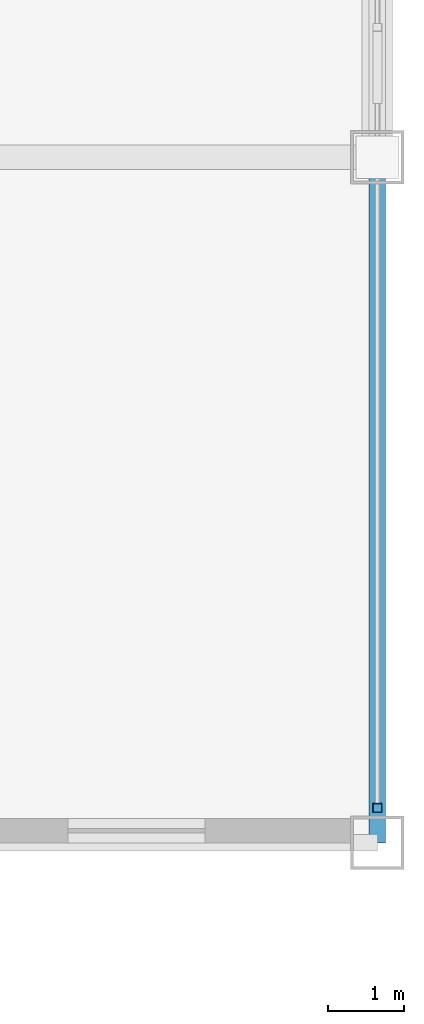
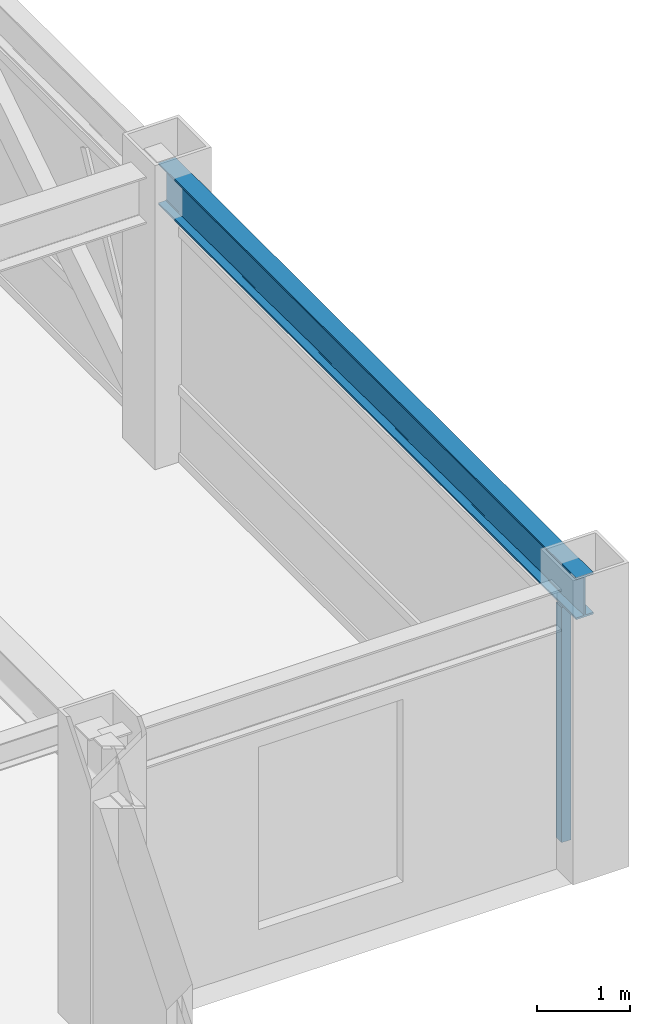
# One storey, part 10 of 29: 1 beam, 1 member, 1 element without a shape of its own.
"""IFC4 building model written with IfcOpenShell, lengths in metres."""

from ifc_helpers import new_model, si_unit, direction, frame, origin, origin_2d, place, context, subcontext, project, spatial, hollow_rectangle, i_section, extrude, source, transform, mapped, material, material_profile, profile_set, type_object, element, aggregate, save


model = new_model("IFC4")

# Units and contexts
model_context = context("Model", 3, precision=1e-05, world=origin(), true_north=direction((0.0, 1.0)))
body_context = subcontext(model_context, "Body", "Model", "MODEL_VIEW")
ifc_project = project(units=[si_unit("LENGTHUNIT", "METRE"), si_unit("AREAUNIT", "SQUARE_METRE"), si_unit("VOLUMEUNIT", "CUBIC_METRE"), si_unit("PLANEANGLEUNIT", "RADIAN"), si_unit("MASSUNIT", "GRAM", prefix="KILO")], contexts=[model_context])

# Site, building, storey
site_placement = place(None, origin())
site = spatial("IfcSite", under=ifc_project, at=site_placement, CompositionType="ELEMENT")
building_placement = place(site_placement, origin())
building = spatial("IfcBuilding", under=site, at=building_placement, Name="Khorayat Bourse Tower", CompositionType="ELEMENT")
storey_placement = place(building_placement, frame((0.0, 0.0, 362.300048828125)))
storey = spatial("IfcBuildingStorey", under=building, at=storey_placement, Name="L86", CompositionType="ELEMENT", Elevation=362.300048828125)

# Beam
ifc_material_1 = material(Name="Steel ASTM A992 Grade 50", Category="steel")
ifc_material_profile_1 = material_profile(ifc_material_1, i_section(OverallWidth=0.214111328125, OverallDepth=0.549072265625, WebThickness=0.0146484375, FlangeThickness=0.023681640625, FilletRadius=0.013916015625, at=origin_2d()), Name="W530X138")
ifc_profile_set_1 = profile_set([ifc_material_profile_1], Name="Steel ASTM A992 Grade 50")
beam_type = type_object("IfcBeamType", Name="BM-SPAN-530", PredefinedType="SPANDREL", material=ifc_profile_set_1)
shared_shape_1 = source(origin(), body_context, "Body", "SweptSolid", [
    extrude(i_section(OverallWidth=0.214111328125, OverallDepth=0.549072265625, WebThickness=0.0146484375, FlangeThickness=0.023681640625, FilletRadius=0.013916015625, at=origin_2d()), origin(), (0.0, 0.0, 1.0), 9.0),
])
beam_placement = place(storey_placement, frame((26.0, -20.0, 3.46533203125), z_axis=(0.0, 1.0, 0.0), x_axis=(-1.0, 0.0, 0.0)))
element("IfcBeam", 1, at=beam_placement, inside=storey, type_object=beam_type, Name="L86 BM-SPAN-530 BM-L86-SPN-032", PredefinedType="SPANDREL", context=body_context, shape_type="MappedRepresentation", body=[
    mapped(shared_shape_1, transform((0.0, 0.0, 0.0), scale=1.0)),
])

# Curtain wall, member
ifc_material_2 = material(Name="Aluminium EN AW-6063 T6", Category="aluminium")
curtain_wall_type = type_object("IfcCurtainWallType", Name="CW-SYS-04", PredefinedType="NOTDEFINED", material=ifc_material_2)
curtain_wall_placement = place(storey_placement, origin())
curtain_wall = element("IfcCurtainWall", 2, at=curtain_wall_placement, inside=storey, type_object=curtain_wall_type, Name="L86 Curtain Wall CW-L86-E1", PredefinedType="NOTDEFINED")
ifc_material_profile_2 = material_profile(ifc_material_2, hollow_rectangle(XDim=0.1201171875, YDim=0.1201171875, WallThickness=0.0048828125, at=origin_2d()), Name="ALU 120x120x5")
ifc_profile_set_2 = profile_set([ifc_material_profile_2], Name="Aluminium EN AW-6063 T6")
member_type = type_object("IfcMemberType", Name="CWM-VERT-120", PredefinedType="MULLION", material=ifc_profile_set_2)
shared_shape_2 = source(origin(), body_context, "Body", "SweptSolid", [
    extrude(hollow_rectangle(XDim=0.1201171875, YDim=0.1201171875, WallThickness=0.0048828125, at=origin_2d()), origin(), (0.0, 0.0, 1.0), 3.08984375),
])
member_placement = place(storey_placement, frame((26.0, -19.5400390625, 0.0), z_axis=(0.0, 0.0, 1.0), x_axis=(-1.0, 0.0, 0.0)))
member = element("IfcMember", 3, at=member_placement, type_object=member_type, Name="CW-L86-E1 Vertical Mullion 1", PredefinedType="MULLION", context=body_context, shape_type="MappedRepresentation", body=[
    mapped(shared_shape_2, transform((0.0, 0.0, 0.0), scale=1.0)),
])
aggregate(curtain_wall, [member])

save(model, "model.ifc")
